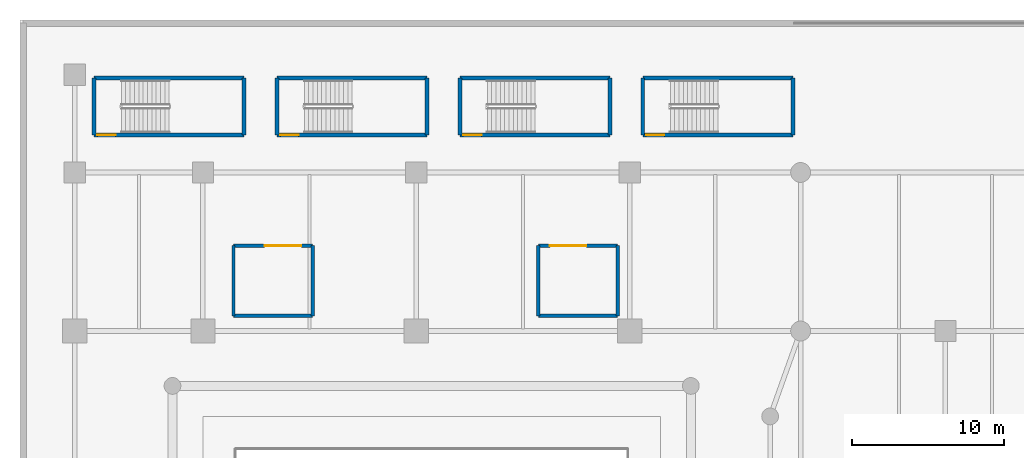
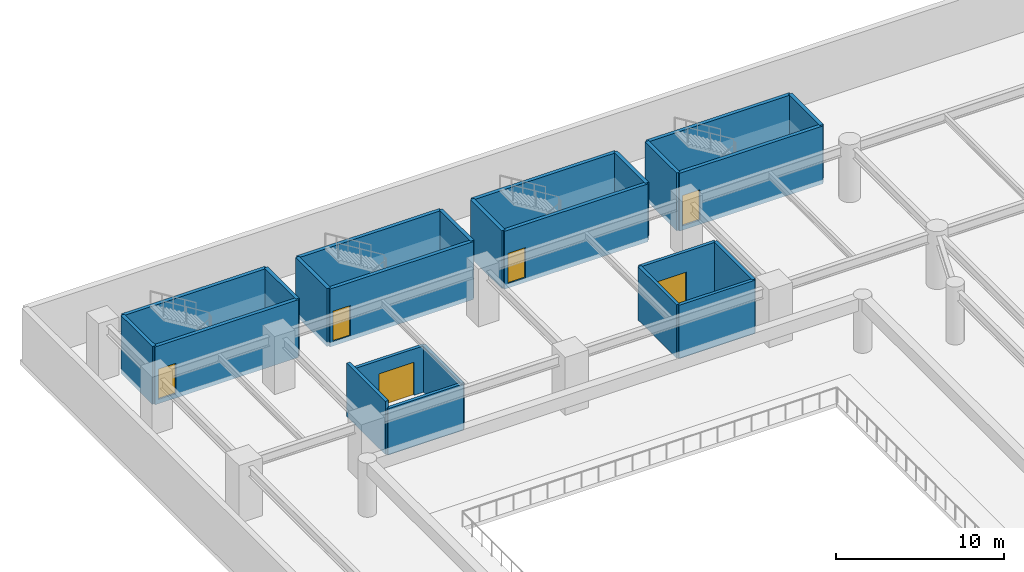
# One storey, part 12 of 25: 24 walls, 6 doors, 6 openings.
"""IFC4 building model written with IfcOpenShell, lengths in metres."""

import ifcopenshell
import ifcopenshell.guid

model = None  # the IFC model being written
_history = None  # IfcOwnerHistory: only IFC2X3 demands one
_inside = {}  # id of a spatial element -> (the spatial element, [elements in it])
_under = {}  # id of a project, library or spatial element -> (it, [spatial elements below it])
_declared = {}  # id of a project -> (the project, [libraries it declares])
_typed = {}  # id of a type object -> (the type object, [elements of that type])
_made_of = {}  # id of a material, layer set ... -> (it, [elements and type objects made of it])


def new_model(schema):
    """Start an empty IFC model of exactly this schema.

    Asked for "IFC4X3", IfcOpenShell would pick the latest addendum, in which some entities
    have other attributes; the version numbers below select the first issue.
    IFC2X3 requires an IfcOwnerHistory on every rooted entity: one is made here for all.
    """
    global model, _history
    if schema == "IFC4X3":
        model = ifcopenshell.file(schema_version=(4, 3, 0, 0))
    else:
        model = ifcopenshell.file(schema=schema)
    _inside.clear()
    _under.clear()
    _declared.clear()
    _typed.clear()
    _made_of.clear()
    _history = None
    if model.schema == "IFC2X3":
        org = make("IfcOrganization", Name="unknown")
        user = make(
            "IfcPersonAndOrganization",
            ThePerson=make("IfcPerson", FamilyName="unknown"),
            TheOrganization=org,
        )
        app = make(
            "IfcApplication",
            ApplicationDeveloper=org,
            Version="unknown",
            ApplicationFullName="unknown",
            ApplicationIdentifier="unknown",
        )
        _history = make(
            "IfcOwnerHistory",
            OwningUser=user,
            OwningApplication=app,
            ChangeAction="ADDED",
            CreationDate=0,
        )
    return model


def make(cls, **values):
    """One entity of the class cls with the attributes given. An attribute that is None is left unset."""
    return model.create_entity(
        cls, **{name: value for name, value in values.items() if value is not None}
    )


def rooted(cls, **values):
    """An entity with a GlobalId (a new one), such as an element, a storey or a relation."""
    return make(cls, GlobalId=ifcopenshell.guid.new(), OwnerHistory=_history, **values)


def si_unit(unit_type, name, prefix=None):
    """IfcSIUnit, for example si_unit("LENGTHUNIT", "METRE", prefix="MILLI")."""
    return make("IfcSIUnit", UnitType=unit_type, Prefix=prefix, Name=name)


def assignment(units):
    """IfcUnitAssignment: the units of a project."""
    return None if units is None else make("IfcUnitAssignment", Units=units)


def point(xyz):
    """IfcCartesianPoint."""
    return None if xyz is None else make("IfcCartesianPoint", Coordinates=xyz)


def direction(xyz):
    """IfcDirection."""
    return None if xyz is None else make("IfcDirection", DirectionRatios=xyz)


def frame(location, z_axis=None, x_axis=None):
    """IfcAxis2Placement3D, a coordinate frame: its origin and axes. An axis left out is left unset."""
    return make(
        "IfcAxis2Placement3D",
        Location=point(location),
        Axis=direction(z_axis),
        RefDirection=direction(x_axis),
    )


def frame_2d(location, x_axis=None):
    """IfcAxis2Placement2D, a coordinate frame in the plane: its origin and x axis."""
    return make(
        "IfcAxis2Placement2D", Location=point(location), RefDirection=direction(x_axis)
    )


def origin():
    """The frame at (0, 0, 0) with its axes left unset."""
    return frame((0.0, 0.0, 0.0))


def place(relative_to, where):
    """IfcLocalPlacement: puts the frame where relative to a parent placement (None: the world)."""
    return make(
        "IfcLocalPlacement", PlacementRelTo=relative_to, RelativePlacement=where
    )


def context(
    kind, dimensions, precision=None, world=None, true_north=None, identifier=None
):
    """IfcGeometricRepresentationContext, for example the 3D "Model" context."""
    return make(
        "IfcGeometricRepresentationContext",
        ContextIdentifier=identifier,
        ContextType=kind,
        CoordinateSpaceDimension=dimensions,
        Precision=precision,
        WorldCoordinateSystem=world,
        TrueNorth=true_north,
    )


def subcontext(parent, identifier, kind, view, scale=None):
    """IfcGeometricRepresentationSubContext, for example "Body" below "Model"."""
    return make(
        "IfcGeometricRepresentationSubContext",
        ContextIdentifier=identifier,
        ContextType=kind,
        ParentContext=parent,
        TargetScale=scale,
        TargetView=view,
    )


def project(units=None, contexts=None):
    """IfcProject with its units and contexts."""
    return rooted(
        "IfcProject",
        Name="project",
        RepresentationContexts=contexts,
        UnitsInContext=assignment(units),
    )


def spatial(cls, under=None, at=None, **own):
    """A site, building, storey or space (cls), placed at a placement, below another one or the project."""
    s = rooted(cls, ObjectPlacement=at, **own)
    if under is not None:
        _under.setdefault(under.id(), (under, []))[1].append(s)
    return s


def profile(cls, at=None, kind="AREA", **sizes):
    """A parametric profile (cls). Its sizes go by their IFC names, for example OverallWidth=200.0."""
    return make(cls, ProfileType=kind, Position=at, **sizes)


def rectangle(**sizes):
    """IfcRectangleProfileDef."""
    return profile("IfcRectangleProfileDef", **sizes)


def extrude(swept, where, along, depth):
    """IfcExtrudedAreaSolid: the profile swept, set in the frame where, extruded along a direction by depth."""
    return make(
        "IfcExtrudedAreaSolid",
        SweptArea=swept,
        Position=where,
        ExtrudedDirection=direction(along),
        Depth=depth,
    )


def shape(context_of_items, identifier, shape_type, items):
    """IfcShapeRepresentation: the items that make up one representation, for example the "Body"."""
    return make(
        "IfcShapeRepresentation",
        ContextOfItems=context_of_items,
        RepresentationIdentifier=identifier,
        RepresentationType=shape_type,
        Items=items,
    )


def material(Name=None, Category=None):
    """IfcMaterial."""
    return make("IfcMaterial", Name=Name, Category=Category)


def layer(
    of_material, thickness, ventilated=None, Name=None, Category=None, Priority=None
):
    """IfcMaterialLayer: one layer of a wall or slab, of a material (None: an air gap)."""
    return make(
        "IfcMaterialLayer",
        Material=of_material,
        LayerThickness=thickness,
        IsVentilated=ventilated,
        Name=Name,
        Category=Category,
        Priority=Priority,
    )


def layer_set(layers, Name=None):
    """IfcMaterialLayerSet."""
    return make("IfcMaterialLayerSet", MaterialLayers=layers, LayerSetName=Name)


def made_of(thing, what):
    """Note that an element or type object is made of a material, layer set ...; save() writes the relation."""
    if what is not None:
        _made_of.setdefault(what.id(), (what, []))[1].append(thing)
    return thing


def type_object(cls, material=None, **own):
    """A type object (cls), such as IfcWallType, which elements share."""
    return made_of(rooted(cls, **own), material)


def element(
    cls,
    number,
    at=None,
    inside=None,
    cuts=None,
    type_object=None,
    material=None,
    context=None,
    identifier="Body",
    shape_type=None,
    held_by="IfcProductDefinitionShape",
    body=None,
    shapes=None,
    **own,
):
    """One element of the class cls, such as IfcWall. Its Tag is "e" and its number.

    at: its placement. inside: the storey or other place that contains it. cuts: it is an
    opening in that element (IfcRelVoidsElement). A single representation is given by context,
    identifier, shape_type and body (its items); several are given by shapes. held_by: the class
    of the entity that holds the representations. save() writes the other relations.
    """
    e = rooted(cls, Tag="e%d" % number, ObjectPlacement=at, **own)
    if body is not None:
        shapes = [shape(context, identifier, shape_type, body)]
    if shapes is not None:
        e.Representation = make(held_by, Representations=shapes)
    if inside is not None:
        _inside.setdefault(inside.id(), (inside, []))[1].append(e)
    if cuts is not None:
        rooted(
            "IfcRelVoidsElement", RelatingBuildingElement=cuts, RelatedOpeningElement=e
        )
    if type_object is not None:
        _typed.setdefault(type_object.id(), (type_object, []))[1].append(e)
    return made_of(e, material)


def fill(opening, filler):
    """IfcRelFillsElement: the door or window that sits in an opening."""
    return rooted(
        "IfcRelFillsElement",
        RelatingOpeningElement=opening,
        RelatedBuildingElement=filler,
    )


def aggregate(whole, parts):
    """IfcRelAggregates: a whole, such as a stair, and the parts it consists of."""
    return rooted("IfcRelAggregates", RelatingObject=whole, RelatedObjects=parts)


def save(model, path):
    """Write the relations noted so far, then the file.

    IfcRelAggregates (storeys below a building ...), IfcRelContainedInSpatialStructure (elements
    in a storey), IfcRelDefinesByType, IfcRelAssociatesMaterial and IfcRelDeclares: one each for
    every whole, place, type object, material and project.
    """
    for whole, parts in _under.values():
        aggregate(whole, parts)
    for where, things in _inside.values():
        rooted(
            "IfcRelContainedInSpatialStructure",
            RelatedElements=things,
            RelatingStructure=where,
        )
    for kind, things in _typed.values():
        rooted("IfcRelDefinesByType", RelatedObjects=things, RelatingType=kind)
    for what, things in _made_of.values():
        rooted("IfcRelAssociatesMaterial", RelatedObjects=things, RelatingMaterial=what)
    for by, libraries in _declared.values():
        rooted("IfcRelDeclares", RelatingContext=by, RelatedDefinitions=libraries)
    model.write(path)


model = new_model("IFC4")

# Units and contexts
model_context = context("Model", 3, precision=1e-05, world=origin(), true_north=direction((0.0, 1.0)))
body_context = subcontext(model_context, "Body", "Model", "MODEL_VIEW")
ifc_project = project(units=[si_unit("LENGTHUNIT", "METRE"), si_unit("AREAUNIT", "SQUARE_METRE"), si_unit("VOLUMEUNIT", "CUBIC_METRE"), si_unit("PLANEANGLEUNIT", "RADIAN"), si_unit("MASSUNIT", "GRAM", prefix="KILO")], contexts=[model_context])

# Site, building, storey
site_placement = place(None, origin())
site = spatial("IfcSite", under=ifc_project, at=site_placement, CompositionType="ELEMENT")
building_placement = place(site_placement, origin())
building = spatial("IfcBuilding", under=site, at=building_placement, Name="Narakoshi Arena Tower", CompositionType="ELEMENT")
storey_placement = place(building_placement, frame((0.0, 0.0, 9.0)))
storey = spatial("IfcBuildingStorey", under=building, at=storey_placement, Name="L02", CompositionType="ELEMENT", Elevation=9.0)

# Walls
ifc_material_1 = material(Name="Concrete C40/50", Category="concrete")
ifc_layer_1 = layer(ifc_material_1, 0.219970703125)
ifc_layer_set_1 = layer_set([ifc_layer_1], Name="Concrete C40/50")
wall_type_1 = type_object("IfcWallType", Name="WL-COMP-220", PredefinedType="SOLIDWALL", material=ifc_layer_set_1)
wall_1_placement = place(storey_placement, frame((14.0, 76.60009765625, 0.0), z_axis=(0.0, 0.0, 1.0), x_axis=(1.0, 0.0, 0.0)))
element("IfcWall", 1, at=wall_1_placement, inside=storey, type_object=wall_type_1, Name="L02 Vomitory 3 Wall S", PredefinedType="SOLIDWALL", context=body_context, shape_type="SweptSolid", body=[
    extrude(rectangle(XDim=5.199951171875, YDim=0.219970703125, at=frame_2d((2.60009765625, 0.0))), origin(), (0.0, 0.0, 1.0), 3.364990234375),
])
wall_2_placement = place(storey_placement, frame((19.199951171875, 76.60009765625, 0.0), z_axis=(0.0, 0.0, 1.0), x_axis=(0.0, 1.0, 0.0)))
element("IfcWall", 2, at=wall_2_placement, inside=storey, type_object=wall_type_1, Name="L02 Vomitory 3 Wall E", PredefinedType="SOLIDWALL", context=body_context, shape_type="SweptSolid", body=[
    extrude(rectangle(XDim=4.599853515625, YDim=0.219970703125, at=frame_2d((2.2998046875, 0.0))), origin(), (0.0, 0.0, 1.0), 3.364990234375),
])

# Wall, opening, door
wall_3_placement = place(storey_placement, frame((19.199951171875, 81.199951171875, 0.0), z_axis=(0.0, 0.0, 1.0), x_axis=(-1.0, 0.0, 0.0)))
wall_3 = element("IfcWall", 3, at=wall_3_placement, inside=storey, type_object=wall_type_1, Name="L02 Vomitory 3 Wall N", PredefinedType="SOLIDWALL", context=body_context, shape_type="SweptSolid", body=[
    extrude(rectangle(XDim=5.199951171875, YDim=0.219970703125, at=frame_2d((2.60009765625, 0.0))), origin(), (0.0, 0.0, 1.0), 3.364990234375),
])
opening_1_placement = place(wall_3_placement, frame((0.75, 0.0, 0.0)))
opening_1 = element("IfcOpeningElement", 4, at=opening_1_placement, cuts=wall_3, Name="Opening D-02", PredefinedType="OPENING", context=body_context, shape_type="SweptSolid", body=[
    extrude(rectangle(XDim=2.39990234375, YDim=2.39990234375, at=frame_2d((1.199951171875, 1.199951171875))), frame((0.0, 0.119873046875, 0.0), z_axis=(0.0, -1.0, 0.0), x_axis=(1.0, 0.0, 0.0)), (0.0, 0.0, 1.0), 0.239990234375),
])
ifc_material_2 = material(Name="Painted galvanized steel", Category="steel")
door_type_1 = type_object("IfcDoorType", Name="DR-ARN-2400", OperationType="DOUBLE_DOOR_SINGLE_SWING", PredefinedType="USERDEFINED", material=ifc_material_2)
door_1_placement = place(opening_1_placement, frame((2.39990234375, 0.0, 0.0), z_axis=(0.0, 0.0, 1.0), x_axis=(-1.0, 0.0, 0.0)))
door_1 = element("IfcDoor", 5, at=door_1_placement, inside=storey, type_object=door_type_1, Name="DR-L02-024", ObjectType="EXITDOOR", OperationType="DOUBLE_DOOR_SINGLE_SWING", OverallHeight=2.39990234375, OverallWidth=2.39990234375, PredefinedType="USERDEFINED", context=body_context, shape_type="SweptSolid", body=[
    extrude(rectangle(XDim=2.39990234375, YDim=2.39990234375, at=frame_2d((1.199951171875, 1.199951171875))), frame((0.0, 0.02490234375, 0.0), z_axis=(0.0, -1.0, 0.0), x_axis=(1.0, 0.0, 0.0)), (0.0, 0.0, 1.0), 0.050048828125),
])
fill(opening_1, door_1)

# Walls
wall_4_placement = place(storey_placement, frame((14.0, 81.199951171875, 0.0), z_axis=(0.0, 0.0, 1.0), x_axis=(0.0, -1.0, 0.0)))
element("IfcWall", 6, at=wall_4_placement, inside=storey, type_object=wall_type_1, Name="L02 Vomitory 3 Wall W", PredefinedType="SOLIDWALL", context=body_context, shape_type="SweptSolid", body=[
    extrude(rectangle(XDim=4.599853515625, YDim=0.219970703125, at=frame_2d((2.2998046875, 0.0))), origin(), (0.0, 0.0, 1.0), 3.8798828125),
])
wall_5_placement = place(storey_placement, frame((34.0, 76.60009765625, 0.0), z_axis=(0.0, 0.0, 1.0), x_axis=(1.0, 0.0, 0.0)))
element("IfcWall", 7, at=wall_5_placement, inside=storey, type_object=wall_type_1, Name="L02 Vomitory 4 Wall S", PredefinedType="SOLIDWALL", context=body_context, shape_type="SweptSolid", body=[
    extrude(rectangle(XDim=5.199951171875, YDim=0.219970703125, at=frame_2d((2.60009765625, 0.0))), origin(), (0.0, 0.0, 1.0), 3.8798828125),
])
wall_6_placement = place(storey_placement, frame((39.199951171875, 76.60009765625, 0.0), z_axis=(0.0, 0.0, 1.0), x_axis=(0.0, 1.0, 0.0)))
element("IfcWall", 8, at=wall_6_placement, inside=storey, type_object=wall_type_1, Name="L02 Vomitory 4 Wall E", PredefinedType="SOLIDWALL", context=body_context, shape_type="SweptSolid", body=[
    extrude(rectangle(XDim=4.599853515625, YDim=0.219970703125, at=frame_2d((2.2998046875, 0.0))), origin(), (0.0, 0.0, 1.0), 3.8798828125),
])

# Wall, opening, door
wall_7_placement = place(storey_placement, frame((39.199951171875, 81.199951171875, 0.0), z_axis=(0.0, 0.0, 1.0), x_axis=(-1.0, 0.0, 0.0)))
wall_7 = element("IfcWall", 9, at=wall_7_placement, inside=storey, type_object=wall_type_1, Name="L02 Vomitory 4 Wall N", PredefinedType="SOLIDWALL", context=body_context, shape_type="SweptSolid", body=[
    extrude(rectangle(XDim=5.199951171875, YDim=0.219970703125, at=frame_2d((2.60009765625, 0.0))), origin(), (0.0, 0.0, 1.0), 3.8798828125),
])
opening_2_placement = place(wall_7_placement, frame((2.050048828125, 0.0, 0.0)))
opening_2 = element("IfcOpeningElement", 10, at=opening_2_placement, cuts=wall_7, Name="Opening D-02", PredefinedType="OPENING", context=body_context, shape_type="SweptSolid", body=[
    extrude(rectangle(XDim=2.39990234375, YDim=2.39990234375, at=frame_2d((1.199951171875, 1.199951171875))), frame((0.0, 0.119873046875, 0.0), z_axis=(0.0, -1.0, 0.0), x_axis=(1.0, 0.0, 0.0)), (0.0, 0.0, 1.0), 0.239990234375),
])
door_2_placement = place(opening_2_placement, frame((2.39990234375, 0.0, 0.0), z_axis=(0.0, 0.0, 1.0), x_axis=(-1.0, 0.0, 0.0)))
door_2 = element("IfcDoor", 11, at=door_2_placement, inside=storey, type_object=door_type_1, Name="DR-L02-025", ObjectType="EXITDOOR", OperationType="DOUBLE_DOOR_SINGLE_SWING", OverallHeight=2.39990234375, OverallWidth=2.39990234375, PredefinedType="USERDEFINED", context=body_context, shape_type="SweptSolid", body=[
    extrude(rectangle(XDim=2.39990234375, YDim=2.39990234375, at=frame_2d((1.199951171875, 1.199951171875))), frame((0.0, 0.02490234375, 0.0), z_axis=(0.0, -1.0, 0.0), x_axis=(1.0, 0.0, 0.0)), (0.0, 0.0, 1.0), 0.050048828125),
])
fill(opening_2, door_2)

# Walls
wall_8_placement = place(storey_placement, frame((34.0, 81.199951171875, 0.0), z_axis=(0.0, 0.0, 1.0), x_axis=(0.0, -1.0, 0.0)))
element("IfcWall", 12, at=wall_8_placement, inside=storey, type_object=wall_type_1, Name="L02 Vomitory 4 Wall W", PredefinedType="SOLIDWALL", context=body_context, shape_type="SweptSolid", body=[
    extrude(rectangle(XDim=4.599853515625, YDim=0.219970703125, at=frame_2d((2.2998046875, 0.0))), origin(), (0.0, 0.0, 1.0), 3.8798828125),
])
ifc_material_3 = material(Name="Concrete C50/60", Category="concrete")
ifc_layer_2 = layer(ifc_material_3, 0.35009765625)
ifc_layer_set_2 = layer_set([ifc_layer_2], Name="Concrete C50/60")
wall_type_2 = type_object("IfcWallType", Name="WL-SHAFT-350", PredefinedType="SOLIDWALL", material=ifc_layer_set_2)
for number, where, z_axis, x_axis, name in (
    (13, (4.85009765625, 88.449951171875, -0.320068359375), (0.0, 0.0, 1.0), (0.0, 1.0, 0.0), "L02 AST5 Enclosure Wall W"),
    (14, (14.699951171875, 88.449951171875, -0.320068359375), (0.0, 0.0, 1.0), (0.0, 1.0, 0.0), "L02 AST5 Enclosure Wall E"),
):
    element("IfcWall", number, at=place(storey_placement, frame(where, z_axis=z_axis, x_axis=x_axis)), inside=storey, type_object=wall_type_2, Name=name, PredefinedType="SOLIDWALL", context=body_context, shape_type="SweptSolid", body=[
        extrude(rectangle(XDim=3.75, YDim=0.25, at=frame_2d((1.875, 0.0))), origin(), (0.0, 0.0, 1.0), 4.199951171875),
    ])
wall_9_placement = place(storey_placement, frame((4.85009765625, 92.199951171875, -0.320068359375), z_axis=(0.0, 0.0, 1.0), x_axis=(1.0, 0.0, 0.0)))
element("IfcWall", 15, at=wall_9_placement, inside=storey, type_object=wall_type_2, Name="L02 AST5 Enclosure Wall B", PredefinedType="SOLIDWALL", context=body_context, shape_type="SweptSolid", body=[
    extrude(rectangle(XDim=9.849853515625, YDim=0.25, at=frame_2d((4.9248046875, 0.0))), origin(), (0.0, 0.0, 1.0), 4.199951171875),
])

# Wall, opening, door
wall_10_placement = place(storey_placement, frame((4.85009765625, 88.449951171875, -0.320068359375), z_axis=(0.0, 0.0, 1.0), x_axis=(1.0, 0.0, 0.0)))
wall_10 = element("IfcWall", 16, at=wall_10_placement, inside=storey, type_object=wall_type_2, Name="L02 AST5 Landing Door Wall", PredefinedType="SOLIDWALL", context=body_context, shape_type="SweptSolid", body=[
    extrude(rectangle(XDim=9.849853515625, YDim=0.25, at=frame_2d((4.9248046875, 0.0))), origin(), (0.0, 0.0, 1.0), 4.199951171875),
])
opening_3_placement = place(wall_10_placement, frame((0.219970703125, 0.0, 0.320068359375)))
opening_3 = element("IfcOpeningElement", 17, at=opening_3_placement, cuts=wall_10, Name="Opening D-03", PredefinedType="OPENING", context=body_context, shape_type="SweptSolid", body=[
    extrude(rectangle(XDim=1.199951171875, YDim=2.199951171875, at=frame_2d((0.60009765625, 1.10009765625))), frame((0.0, 0.135009765625, 0.0), z_axis=(0.0, -1.0, 0.0), x_axis=(1.0, 0.0, 0.0)), (0.0, 0.0, 1.0), 0.27001953125),
])
door_type_2 = type_object("IfcDoorType", Name="DR-STR-1200", OperationType="NOTDEFINED", PredefinedType="USERDEFINED", material=ifc_material_2)
door_3_placement = place(opening_3_placement, origin())
door_3 = element("IfcDoor", 18, at=door_3_placement, inside=storey, type_object=door_type_2, Name="DR-L02-018", ObjectType="EXITDOOR", OperationType="SINGLE_SWING_LEFT", OverallHeight=2.199951171875, OverallWidth=1.199951171875, PredefinedType="USERDEFINED", context=body_context, shape_type="SweptSolid", body=[
    extrude(rectangle(XDim=1.199951171875, YDim=2.199951171875, at=frame_2d((0.60009765625, 1.10009765625))), frame((0.0, 0.02490234375, 0.0), z_axis=(0.0, -1.0, 0.0), x_axis=(1.0, 0.0, 0.0)), (0.0, 0.0, 1.0), 0.050048828125),
])
fill(opening_3, door_3)

# Walls
for number, where, z_axis, x_axis, name in (
    (19, (16.85009765625, 88.449951171875, -0.320068359375), (0.0, 0.0, 1.0), (0.0, 1.0, 0.0), "L02 AST6 Enclosure Wall W"),
    (20, (26.699951171875, 88.449951171875, -0.320068359375), (0.0, 0.0, 1.0), (0.0, 1.0, 0.0), "L02 AST6 Enclosure Wall E"),
):
    element("IfcWall", number, at=place(storey_placement, frame(where, z_axis=z_axis, x_axis=x_axis)), inside=storey, type_object=wall_type_2, Name=name, PredefinedType="SOLIDWALL", context=body_context, shape_type="SweptSolid", body=[
        extrude(rectangle(XDim=3.75, YDim=0.25, at=frame_2d((1.875, 0.0))), origin(), (0.0, 0.0, 1.0), 4.199951171875),
    ])
wall_11_placement = place(storey_placement, frame((16.85009765625, 92.199951171875, -0.320068359375), z_axis=(0.0, 0.0, 1.0), x_axis=(1.0, 0.0, 0.0)))
element("IfcWall", 21, at=wall_11_placement, inside=storey, type_object=wall_type_2, Name="L02 AST6 Enclosure Wall B", PredefinedType="SOLIDWALL", context=body_context, shape_type="SweptSolid", body=[
    extrude(rectangle(XDim=9.849853515625, YDim=0.25, at=frame_2d((4.9248046875, 0.0))), origin(), (0.0, 0.0, 1.0), 4.199951171875),
])

# Wall, opening, door
wall_12_placement = place(storey_placement, frame((16.85009765625, 88.449951171875, -0.320068359375), z_axis=(0.0, 0.0, 1.0), x_axis=(1.0, 0.0, 0.0)))
wall_12 = element("IfcWall", 22, at=wall_12_placement, inside=storey, type_object=wall_type_2, Name="L02 AST6 Landing Door Wall", PredefinedType="SOLIDWALL", context=body_context, shape_type="SweptSolid", body=[
    extrude(rectangle(XDim=9.849853515625, YDim=0.25, at=frame_2d((4.9248046875, 0.0))), origin(), (0.0, 0.0, 1.0), 4.199951171875),
])
opening_4_placement = place(wall_12_placement, frame((0.219970703125, 0.0, 0.320068359375)))
opening_4 = element("IfcOpeningElement", 23, at=opening_4_placement, cuts=wall_12, Name="Opening D-03", PredefinedType="OPENING", context=body_context, shape_type="SweptSolid", body=[
    extrude(rectangle(XDim=1.199951171875, YDim=2.199951171875, at=frame_2d((0.60009765625, 1.10009765625))), frame((0.0, 0.135009765625, 0.0), z_axis=(0.0, -1.0, 0.0), x_axis=(1.0, 0.0, 0.0)), (0.0, 0.0, 1.0), 0.27001953125),
])
door_4_placement = place(opening_4_placement, origin())
door_4 = element("IfcDoor", 24, at=door_4_placement, inside=storey, type_object=door_type_2, Name="DR-L02-019", ObjectType="EXITDOOR", OperationType="SINGLE_SWING_RIGHT", OverallHeight=2.199951171875, OverallWidth=1.199951171875, PredefinedType="USERDEFINED", context=body_context, shape_type="SweptSolid", body=[
    extrude(rectangle(XDim=1.199951171875, YDim=2.199951171875, at=frame_2d((0.60009765625, 1.10009765625))), frame((0.0, 0.02490234375, 0.0), z_axis=(0.0, -1.0, 0.0), x_axis=(1.0, 0.0, 0.0)), (0.0, 0.0, 1.0), 0.050048828125),
])
fill(opening_4, door_4)

# Walls
for number, where, z_axis, x_axis, name in (
    (25, (28.85009765625, 88.449951171875, -0.320068359375), (0.0, 0.0, 1.0), (0.0, 1.0, 0.0), "L02 AST7 Enclosure Wall W"),
    (26, (38.699951171875, 88.449951171875, -0.320068359375), (0.0, 0.0, 1.0), (0.0, 1.0, 0.0), "L02 AST7 Enclosure Wall E"),
):
    element("IfcWall", number, at=place(storey_placement, frame(where, z_axis=z_axis, x_axis=x_axis)), inside=storey, type_object=wall_type_2, Name=name, PredefinedType="SOLIDWALL", context=body_context, shape_type="SweptSolid", body=[
        extrude(rectangle(XDim=3.75, YDim=0.25, at=frame_2d((1.875, 0.0))), origin(), (0.0, 0.0, 1.0), 4.199951171875),
    ])
wall_13_placement = place(storey_placement, frame((28.85009765625, 92.199951171875, -0.320068359375), z_axis=(0.0, 0.0, 1.0), x_axis=(1.0, 0.0, 0.0)))
element("IfcWall", 27, at=wall_13_placement, inside=storey, type_object=wall_type_2, Name="L02 AST7 Enclosure Wall B", PredefinedType="SOLIDWALL", context=body_context, shape_type="SweptSolid", body=[
    extrude(rectangle(XDim=9.849853515625, YDim=0.25, at=frame_2d((4.9248046875, 0.0))), origin(), (0.0, 0.0, 1.0), 4.199951171875),
])

# Wall, opening, door
wall_14_placement = place(storey_placement, frame((28.85009765625, 88.449951171875, -0.320068359375), z_axis=(0.0, 0.0, 1.0), x_axis=(1.0, 0.0, 0.0)))
wall_14 = element("IfcWall", 28, at=wall_14_placement, inside=storey, type_object=wall_type_2, Name="L02 AST7 Landing Door Wall", PredefinedType="SOLIDWALL", context=body_context, shape_type="SweptSolid", body=[
    extrude(rectangle(XDim=9.849853515625, YDim=0.25, at=frame_2d((4.9248046875, 0.0))), origin(), (0.0, 0.0, 1.0), 4.199951171875),
])
opening_5_placement = place(wall_14_placement, frame((0.219970703125, 0.0, 0.320068359375)))
opening_5 = element("IfcOpeningElement", 29, at=opening_5_placement, cuts=wall_14, Name="Opening D-03", PredefinedType="OPENING", context=body_context, shape_type="SweptSolid", body=[
    extrude(rectangle(XDim=1.199951171875, YDim=2.199951171875, at=frame_2d((0.60009765625, 1.10009765625))), frame((0.0, 0.135009765625, 0.0), z_axis=(0.0, -1.0, 0.0), x_axis=(1.0, 0.0, 0.0)), (0.0, 0.0, 1.0), 0.27001953125),
])
door_5_placement = place(opening_5_placement, origin())
door_5 = element("IfcDoor", 30, at=door_5_placement, inside=storey, type_object=door_type_2, Name="DR-L02-020", ObjectType="EXITDOOR", OperationType="SINGLE_SWING_LEFT", OverallHeight=2.199951171875, OverallWidth=1.199951171875, PredefinedType="USERDEFINED", context=body_context, shape_type="SweptSolid", body=[
    extrude(rectangle(XDim=1.199951171875, YDim=2.199951171875, at=frame_2d((0.60009765625, 1.10009765625))), frame((0.0, 0.02490234375, 0.0), z_axis=(0.0, -1.0, 0.0), x_axis=(1.0, 0.0, 0.0)), (0.0, 0.0, 1.0), 0.050048828125),
])
fill(opening_5, door_5)

# Walls
for number, where, z_axis, x_axis, name in (
    (31, (40.85009765625, 88.449951171875, -0.320068359375), (0.0, 0.0, 1.0), (0.0, 1.0, 0.0), "L02 AST8 Enclosure Wall W"),
    (32, (50.699951171875, 88.449951171875, -0.320068359375), (0.0, 0.0, 1.0), (0.0, 1.0, 0.0), "L02 AST8 Enclosure Wall E"),
):
    element("IfcWall", number, at=place(storey_placement, frame(where, z_axis=z_axis, x_axis=x_axis)), inside=storey, type_object=wall_type_2, Name=name, PredefinedType="SOLIDWALL", context=body_context, shape_type="SweptSolid", body=[
        extrude(rectangle(XDim=3.75, YDim=0.25, at=frame_2d((1.875, 0.0))), origin(), (0.0, 0.0, 1.0), 4.199951171875),
    ])
wall_15_placement = place(storey_placement, frame((40.85009765625, 92.199951171875, -0.320068359375), z_axis=(0.0, 0.0, 1.0), x_axis=(1.0, 0.0, 0.0)))
element("IfcWall", 33, at=wall_15_placement, inside=storey, type_object=wall_type_2, Name="L02 AST8 Enclosure Wall B", PredefinedType="SOLIDWALL", context=body_context, shape_type="SweptSolid", body=[
    extrude(rectangle(XDim=9.849853515625, YDim=0.25, at=frame_2d((4.9248046875, 0.0))), origin(), (0.0, 0.0, 1.0), 4.199951171875),
])

# Wall, opening, door
wall_16_placement = place(storey_placement, frame((40.85009765625, 88.449951171875, -0.320068359375), z_axis=(0.0, 0.0, 1.0), x_axis=(1.0, 0.0, 0.0)))
wall_16 = element("IfcWall", 34, at=wall_16_placement, inside=storey, type_object=wall_type_2, Name="L02 AST8 Landing Door Wall", PredefinedType="SOLIDWALL", context=body_context, shape_type="SweptSolid", body=[
    extrude(rectangle(XDim=9.849853515625, YDim=0.25, at=frame_2d((4.9248046875, 0.0))), origin(), (0.0, 0.0, 1.0), 4.199951171875),
])
opening_6_placement = place(wall_16_placement, frame((0.219970703125, 0.0, 0.320068359375)))
opening_6 = element("IfcOpeningElement", 35, at=opening_6_placement, cuts=wall_16, Name="Opening D-03", PredefinedType="OPENING", context=body_context, shape_type="SweptSolid", body=[
    extrude(rectangle(XDim=1.199951171875, YDim=2.199951171875, at=frame_2d((0.60009765625, 1.10009765625))), frame((0.0, 0.135009765625, 0.0), z_axis=(0.0, -1.0, 0.0), x_axis=(1.0, 0.0, 0.0)), (0.0, 0.0, 1.0), 0.27001953125),
])
door_6_placement = place(opening_6_placement, origin())
door_6 = element("IfcDoor", 36, at=door_6_placement, inside=storey, type_object=door_type_2, Name="DR-L02-021", ObjectType="EXITDOOR", OperationType="SINGLE_SWING_RIGHT", OverallHeight=2.199951171875, OverallWidth=1.199951171875, PredefinedType="USERDEFINED", context=body_context, shape_type="SweptSolid", body=[
    extrude(rectangle(XDim=1.199951171875, YDim=2.199951171875, at=frame_2d((0.60009765625, 1.10009765625))), frame((0.0, 0.02490234375, 0.0), z_axis=(0.0, -1.0, 0.0), x_axis=(1.0, 0.0, 0.0)), (0.0, 0.0, 1.0), 0.050048828125),
])
fill(opening_6, door_6)

save(model, "model.ifc")
